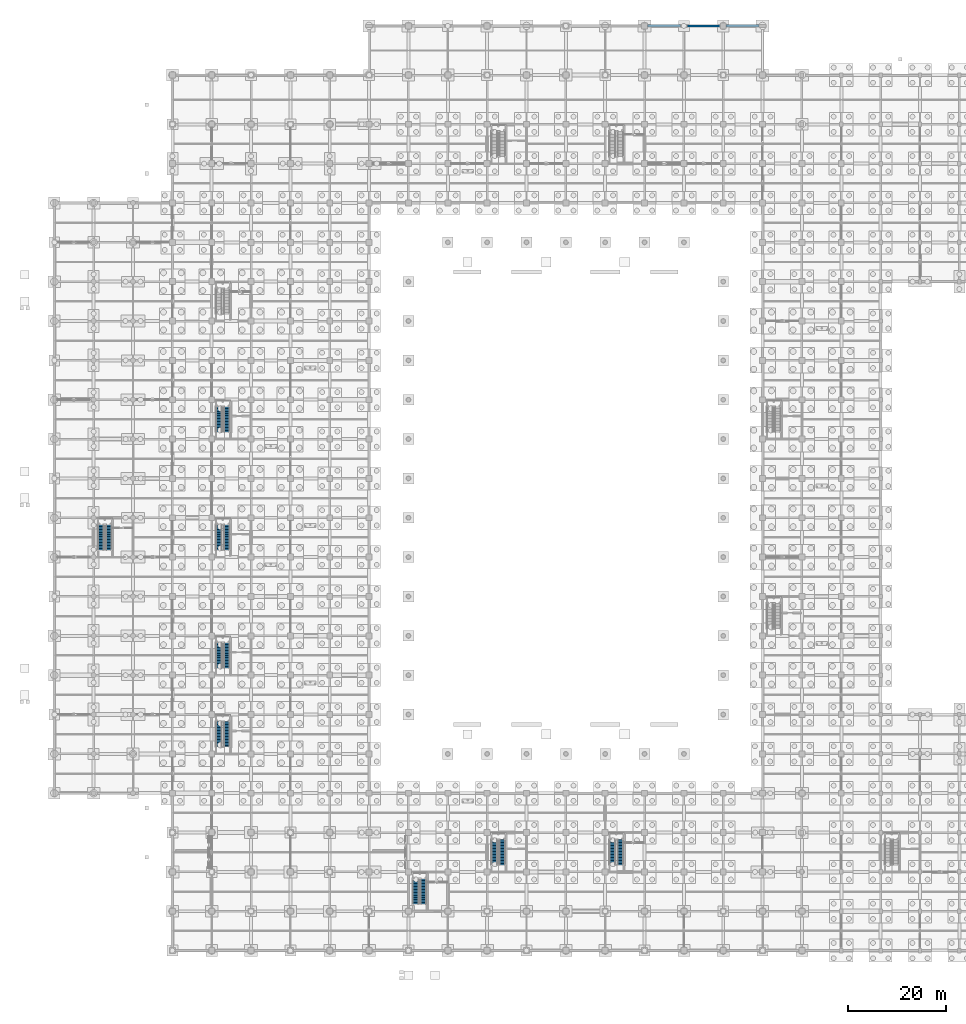
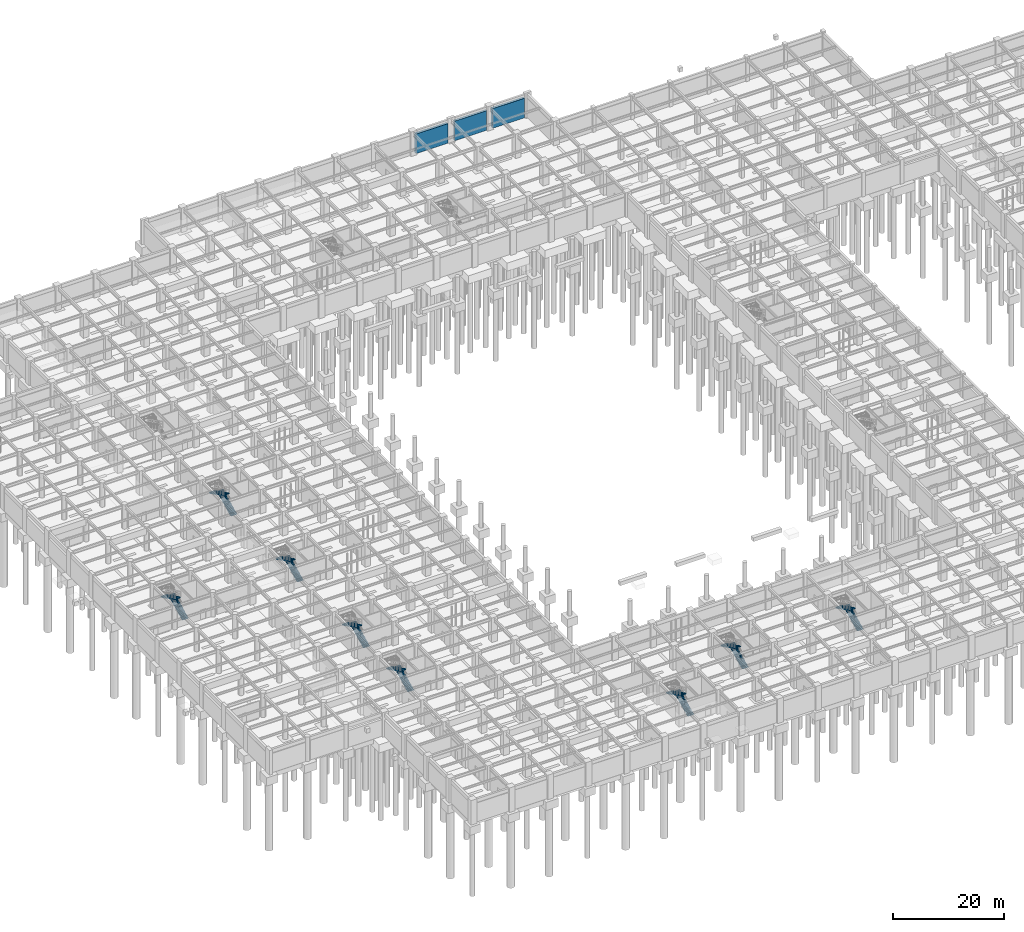
# One storey, part 85 of 97: 16 stair flights, 3 walls, 8 elements without a shape of their own.
"""IFC4 building model written with IfcOpenShell, lengths in metres."""

from ifc_helpers import new_model, si_unit, direction, frame, frame_2d, origin, place, context, subcontext, project, spatial, polyline, rectangle, outline, extrude, material, layer, layer_set, type_object, element, aggregate, save


model = new_model("IFC4")

# Units and contexts
model_context = context("Model", 3, precision=1e-05, world=origin(), true_north=direction((0.0, 1.0)))
body_context = subcontext(model_context, "Body", "Model", "MODEL_VIEW")
ifc_project = project(units=[si_unit("LENGTHUNIT", "METRE"), si_unit("AREAUNIT", "SQUARE_METRE"), si_unit("VOLUMEUNIT", "CUBIC_METRE"), si_unit("PLANEANGLEUNIT", "RADIAN"), si_unit("MASSUNIT", "GRAM", prefix="KILO")], contexts=[model_context])

# Site, building, storey
site_placement = place(None, origin())
site = spatial("IfcSite", under=ifc_project, at=site_placement, CompositionType="ELEMENT")
building_placement = place(site_placement, origin())
building = spatial("IfcBuilding", under=site, at=building_placement, Name="Haebicheon Civic Stadium", CompositionType="ELEMENT")
storey_placement = place(building_placement, frame((0.0, 0.0, -5.39990234375)))
storey = spatial("IfcBuildingStorey", under=building, at=storey_placement, Name="B1", CompositionType="ELEMENT", Elevation=-5.39990234375)

# Walls
ifc_material_1 = material(Name="Concrete C40/50", Category="concrete")
ifc_layer_1 = layer(ifc_material_1, 0.4599609375, Name="Concrete C40/50")
ifc_layer_set_1 = layer_set([ifc_layer_1], Name="Concrete C40/50")
wall_type_1 = type_object("IfcWallType", Name="EW-RET-460", PredefinedType="STANDARD", material=ifc_layer_set_1)
wall_placement = place(storey_placement, frame((128.699951171875, 188.0, 0.0), z_axis=(0.0, 0.0, 1.0), x_axis=(1.0, 0.0, 0.0)))
element("IfcWall", 1, at=wall_placement, inside=storey, type_object=wall_type_1, material=ifc_layer_set_1, Name="B1 retaining wall 16-23-N", PredefinedType="STANDARD", context=body_context, shape_type="SweptSolid", body=[
    extrude(rectangle(XDim=6.699951171875, YDim=0.4599609375, at=frame_2d((3.35009765625, 0.0))), origin(), (0.0, 0.0, 1.0), 4.33984375),
])
ifc_material_2 = material(Name="Concrete C40/50", Category="concrete")
ifc_layer_2 = layer(ifc_material_2, 0.5, Name="Concrete C40/50")
ifc_layer_set_2 = layer_set([ifc_layer_2], Name="Concrete C40/50")
wall_type_2 = type_object("IfcWallType", Name="EW-RET-500", PredefinedType="STANDARD", material=ifc_layer_set_2)
for number, where, z_axis, x_axis, name in (
    (2, (120.60009765625, 188.0, 0.0), (0.0, 0.0, 1.0), (1.0, 0.0, 0.0), "B1 retaining wall 15-23-N"),
    (3, (136.60009765625, 188.0, 0.0), (0.0, 0.0, 1.0), (1.0, 0.0, 0.0), "B1 retaining wall 17-23-N"),
):
    element("IfcWall", number, at=place(storey_placement, frame(where, z_axis=z_axis, x_axis=x_axis)), inside=storey, type_object=wall_type_2, material=ifc_layer_set_2, Name=name, PredefinedType="STANDARD", context=body_context, shape_type="SweptSolid", body=[
        extrude(rectangle(XDim=6.699951171875, YDim=0.5, at=frame_2d((3.35009765625, 0.0))), origin(), (0.0, 0.0, 1.0), 4.33984375),
    ])

# Stair, stair flights
ifc_material_3 = material(Name="Concrete C40/50", Category="concrete")
stair_type_1 = type_object("IfcStairType", Name="STR-DL-W126-H54", PredefinedType="HALF_TURN_STAIR", material=ifc_material_3)
stair_1_placement = place(storey_placement, origin())
stair_1 = element("IfcStair", 4, at=stair_1_placement, inside=storey, type_object=stair_type_1, material=ifc_material_3, Name="B1 Escape stair ST-01", PredefinedType="HALF_TURN_STAIR")
ifc_material_4 = material(Name="Concrete C40/50", Category="concrete")
stair_flight_type_1 = type_object("IfcStairFlightType", Name="STF-DL-W126-H54", PredefinedType="STRAIGHT", material=ifc_material_4)
stair_flight_1_placement = place(storey_placement, frame((35.110107421875, 41.449951171875, 0.0), z_axis=(0.0, 0.0, 1.0), x_axis=(0.0, 1.0, 0.0)))
stair_flight_1 = element("IfcStairFlight", 5, at=stair_flight_1_placement, type_object=stair_flight_type_1, material=ifc_material_4, Name="ST-01 flight 1", NumberOfRisers=18, NumberOfTreads=17, PredefinedType="STRAIGHT", RiserHeight=0.15, TreadLength=0.3, context=body_context, shape_type="SweptSolid", body=[
    extrude(outline(polyline([(0.0, 0.0), (0.0, 0.14990234375), (0.300048828125, 0.14990234375), (0.300048828125, 0.300048828125), (0.60009765625, 0.300048828125), (0.60009765625, 0.449951171875), (0.89990234375, 0.449951171875), (0.89990234375, 0.60009765625), (1.199951171875, 0.60009765625), (1.199951171875, 0.75), (1.5, 0.75), (1.5, 0.89990234375), (1.800048828125, 0.89990234375), (1.800048828125, 1.050048828125), (2.10009765625, 1.050048828125), (2.10009765625, 1.199951171875), (2.39990234375, 1.199951171875), (2.39990234375, 1.35009765625), (2.699951171875, 1.35009765625), (2.699951171875, 1.5), (3.0, 1.5), (3.0, 1.64990234375), (3.300048828125, 1.64990234375), (3.300048828125, 1.800048828125), (3.60009765625, 1.800048828125), (3.60009765625, 1.949951171875), (3.89990234375, 1.949951171875), (3.89990234375, 2.10009765625), (4.199951171875, 2.10009765625), (4.199951171875, 2.25), (4.5, 2.25), (4.5, 2.39990234375), (4.800048828125, 2.39990234375), (4.800048828125, 2.550048828125), (5.10009765625, 2.550048828125), (5.10009765625, 2.699951171875), (5.10009765625, 2.37109375), (0.357666015625, 0.0), (0.0, 0.0)])), frame((0.0, 0.6298828125, 0.0), z_axis=(0.0, -1.0, 0.0), x_axis=(1.0, 0.0, 0.0)), (0.0, 0.0, 1.0), 1.260009765625),
])
stair_flight_2_placement = place(storey_placement, frame((33.469970703125, 46.550048828125, 2.699951171875), z_axis=(0.0, 0.0, 1.0), x_axis=(0.0, -1.0, 0.0)))
stair_flight_2 = element("IfcStairFlight", 6, at=stair_flight_2_placement, type_object=stair_flight_type_1, material=ifc_material_4, Name="ST-01 flight 2", NumberOfRisers=18, NumberOfTreads=17, PredefinedType="STRAIGHT", RiserHeight=0.15, TreadLength=0.3, context=body_context, shape_type="SweptSolid", body=[
    extrude(outline(polyline([(0.0, 0.0), (0.0, 0.14990234375), (0.300048828125, 0.14990234375), (0.300048828125, 0.300048828125), (0.60009765625, 0.300048828125), (0.60009765625, 0.449951171875), (0.89990234375, 0.449951171875), (0.89990234375, 0.60009765625), (1.199951171875, 0.60009765625), (1.199951171875, 0.75), (1.5, 0.75), (1.5, 0.89990234375), (1.800048828125, 0.89990234375), (1.800048828125, 1.050048828125), (2.10009765625, 1.050048828125), (2.10009765625, 1.199951171875), (2.39990234375, 1.199951171875), (2.39990234375, 1.35009765625), (2.699951171875, 1.35009765625), (2.699951171875, 1.5), (3.0, 1.5), (3.0, 1.64990234375), (3.300048828125, 1.64990234375), (3.300048828125, 1.800048828125), (3.60009765625, 1.800048828125), (3.60009765625, 1.949951171875), (3.89990234375, 1.949951171875), (3.89990234375, 2.10009765625), (4.199951171875, 2.10009765625), (4.199951171875, 2.25), (4.5, 2.25), (4.5, 2.39990234375), (4.800048828125, 2.39990234375), (4.800048828125, 2.550048828125), (5.10009765625, 2.550048828125), (5.10009765625, 2.699951171875), (5.10009765625, 2.37109375), (0.357666015625, 0.0), (0.0, 0.0)])), frame((0.0, 0.6298828125, 0.0), z_axis=(0.0, -1.0, 0.0), x_axis=(1.0, 0.0, 0.0)), (0.0, 0.0, 1.0), 1.260009765625),
])
aggregate(stair_1, [stair_flight_1, stair_flight_2])

stair_2_placement = place(storey_placement, origin())
stair_2 = element("IfcStair", 7, at=stair_2_placement, inside=storey, type_object=stair_type_1, material=ifc_material_3, Name="B1 Escape stair ST-03", PredefinedType="HALF_TURN_STAIR")
stair_flight_3_placement = place(storey_placement, frame((35.110107421875, 81.449951171875, 0.0), z_axis=(0.0, 0.0, 1.0), x_axis=(0.0, 1.0, 0.0)))
stair_flight_3 = element("IfcStairFlight", 8, at=stair_flight_3_placement, type_object=stair_flight_type_1, material=ifc_material_4, Name="ST-03 flight 1", NumberOfRisers=18, NumberOfTreads=17, PredefinedType="STRAIGHT", RiserHeight=0.15, TreadLength=0.3, context=body_context, shape_type="SweptSolid", body=[
    extrude(outline(polyline([(0.0, 0.0), (0.0, 0.14990234375), (0.300048828125, 0.14990234375), (0.300048828125, 0.300048828125), (0.60009765625, 0.300048828125), (0.60009765625, 0.449951171875), (0.89990234375, 0.449951171875), (0.89990234375, 0.60009765625), (1.199951171875, 0.60009765625), (1.199951171875, 0.75), (1.5, 0.75), (1.5, 0.89990234375), (1.800048828125, 0.89990234375), (1.800048828125, 1.050048828125), (2.10009765625, 1.050048828125), (2.10009765625, 1.199951171875), (2.39990234375, 1.199951171875), (2.39990234375, 1.35009765625), (2.699951171875, 1.35009765625), (2.699951171875, 1.5), (3.0, 1.5), (3.0, 1.64990234375), (3.300048828125, 1.64990234375), (3.300048828125, 1.800048828125), (3.60009765625, 1.800048828125), (3.60009765625, 1.949951171875), (3.89990234375, 1.949951171875), (3.89990234375, 2.10009765625), (4.199951171875, 2.10009765625), (4.199951171875, 2.25), (4.5, 2.25), (4.5, 2.39990234375), (4.800048828125, 2.39990234375), (4.800048828125, 2.550048828125), (5.10009765625, 2.550048828125), (5.10009765625, 2.699951171875), (5.10009765625, 2.37109375), (0.357666015625, 0.0), (0.0, 0.0)])), frame((0.0, 0.6298828125, 0.0), z_axis=(0.0, -1.0, 0.0), x_axis=(1.0, 0.0, 0.0)), (0.0, 0.0, 1.0), 1.260009765625),
])
stair_flight_4_placement = place(storey_placement, frame((33.469970703125, 86.550048828125, 2.699951171875), z_axis=(0.0, 0.0, 1.0), x_axis=(0.0, -1.0, 0.0)))
stair_flight_4 = element("IfcStairFlight", 9, at=stair_flight_4_placement, type_object=stair_flight_type_1, material=ifc_material_4, Name="ST-03 flight 2", NumberOfRisers=18, NumberOfTreads=17, PredefinedType="STRAIGHT", RiserHeight=0.15, TreadLength=0.3, context=body_context, shape_type="SweptSolid", body=[
    extrude(outline(polyline([(0.0, 0.0), (0.0, 0.14990234375), (0.300048828125, 0.14990234375), (0.300048828125, 0.300048828125), (0.60009765625, 0.300048828125), (0.60009765625, 0.449951171875), (0.89990234375, 0.449951171875), (0.89990234375, 0.60009765625), (1.199951171875, 0.60009765625), (1.199951171875, 0.75), (1.5, 0.75), (1.5, 0.89990234375), (1.800048828125, 0.89990234375), (1.800048828125, 1.050048828125), (2.10009765625, 1.050048828125), (2.10009765625, 1.199951171875), (2.39990234375, 1.199951171875), (2.39990234375, 1.35009765625), (2.699951171875, 1.35009765625), (2.699951171875, 1.5), (3.0, 1.5), (3.0, 1.64990234375), (3.300048828125, 1.64990234375), (3.300048828125, 1.800048828125), (3.60009765625, 1.800048828125), (3.60009765625, 1.949951171875), (3.89990234375, 1.949951171875), (3.89990234375, 2.10009765625), (4.199951171875, 2.10009765625), (4.199951171875, 2.25), (4.5, 2.25), (4.5, 2.39990234375), (4.800048828125, 2.39990234375), (4.800048828125, 2.550048828125), (5.10009765625, 2.550048828125), (5.10009765625, 2.699951171875), (5.10009765625, 2.37109375), (0.357666015625, 0.0), (0.0, 0.0)])), frame((0.0, 0.6298828125, 0.0), z_axis=(0.0, -1.0, 0.0), x_axis=(1.0, 0.0, 0.0)), (0.0, 0.0, 1.0), 1.260009765625),
])
aggregate(stair_2, [stair_flight_3, stair_flight_4])

stair_3_placement = place(storey_placement, origin())
stair_3 = element("IfcStair", 10, at=stair_3_placement, inside=storey, type_object=stair_type_1, material=ifc_material_3, Name="B1 Escape stair ST-07", PredefinedType="HALF_TURN_STAIR")
stair_flight_5_placement = place(storey_placement, frame((115.110107421875, 17.449951171875, 0.0), z_axis=(0.0, 0.0, 1.0), x_axis=(0.0, 1.0, 0.0)))
stair_flight_5 = element("IfcStairFlight", 11, at=stair_flight_5_placement, type_object=stair_flight_type_1, material=ifc_material_4, Name="ST-07 flight 1", NumberOfRisers=18, NumberOfTreads=17, PredefinedType="STRAIGHT", RiserHeight=0.15, TreadLength=0.3, context=body_context, shape_type="SweptSolid", body=[
    extrude(outline(polyline([(0.0, 0.0), (0.0, 0.14990234375), (0.300048828125, 0.14990234375), (0.300048828125, 0.300048828125), (0.60009765625, 0.300048828125), (0.60009765625, 0.449951171875), (0.89990234375, 0.449951171875), (0.89990234375, 0.60009765625), (1.199951171875, 0.60009765625), (1.199951171875, 0.75), (1.5, 0.75), (1.5, 0.89990234375), (1.800048828125, 0.89990234375), (1.800048828125, 1.050048828125), (2.10009765625, 1.050048828125), (2.10009765625, 1.199951171875), (2.39990234375, 1.199951171875), (2.39990234375, 1.35009765625), (2.699951171875, 1.35009765625), (2.699951171875, 1.5), (3.0, 1.5), (3.0, 1.64990234375), (3.300048828125, 1.64990234375), (3.300048828125, 1.800048828125), (3.60009765625, 1.800048828125), (3.60009765625, 1.949951171875), (3.89990234375, 1.949951171875), (3.89990234375, 2.10009765625), (4.199951171875, 2.10009765625), (4.199951171875, 2.25), (4.5, 2.25), (4.5, 2.39990234375), (4.800048828125, 2.39990234375), (4.800048828125, 2.550048828125), (5.10009765625, 2.550048828125), (5.10009765625, 2.699951171875), (5.10009765625, 2.37109375), (0.357666015625, 0.0), (0.0, 0.0)])), frame((0.0, 0.6298828125, 0.0), z_axis=(0.0, -1.0, 0.0), x_axis=(1.0, 0.0, 0.0)), (0.0, 0.0, 1.0), 1.260009765625),
])
stair_flight_6_placement = place(storey_placement, frame((113.469970703125, 22.550048828125, 2.699951171875), z_axis=(0.0, 0.0, 1.0), x_axis=(0.0, -1.0, 0.0)))
stair_flight_6 = element("IfcStairFlight", 12, at=stair_flight_6_placement, type_object=stair_flight_type_1, material=ifc_material_4, Name="ST-07 flight 2", NumberOfRisers=18, NumberOfTreads=17, PredefinedType="STRAIGHT", RiserHeight=0.15, TreadLength=0.3, context=body_context, shape_type="SweptSolid", body=[
    extrude(outline(polyline([(0.0, 0.0), (0.0, 0.14990234375), (0.300048828125, 0.14990234375), (0.300048828125, 0.300048828125), (0.60009765625, 0.300048828125), (0.60009765625, 0.449951171875), (0.89990234375, 0.449951171875), (0.89990234375, 0.60009765625), (1.199951171875, 0.60009765625), (1.199951171875, 0.75), (1.5, 0.75), (1.5, 0.89990234375), (1.800048828125, 0.89990234375), (1.800048828125, 1.050048828125), (2.10009765625, 1.050048828125), (2.10009765625, 1.199951171875), (2.39990234375, 1.199951171875), (2.39990234375, 1.35009765625), (2.699951171875, 1.35009765625), (2.699951171875, 1.5), (3.0, 1.5), (3.0, 1.64990234375), (3.300048828125, 1.64990234375), (3.300048828125, 1.800048828125), (3.60009765625, 1.800048828125), (3.60009765625, 1.949951171875), (3.89990234375, 1.949951171875), (3.89990234375, 2.10009765625), (4.199951171875, 2.10009765625), (4.199951171875, 2.25), (4.5, 2.25), (4.5, 2.39990234375), (4.800048828125, 2.39990234375), (4.800048828125, 2.550048828125), (5.10009765625, 2.550048828125), (5.10009765625, 2.699951171875), (5.10009765625, 2.37109375), (0.357666015625, 0.0), (0.0, 0.0)])), frame((0.0, 0.6298828125, 0.0), z_axis=(0.0, -1.0, 0.0), x_axis=(1.0, 0.0, 0.0)), (0.0, 0.0, 1.0), 1.260009765625),
])
aggregate(stair_3, [stair_flight_5, stair_flight_6])

stair_4_placement = place(storey_placement, origin())
stair_4 = element("IfcStair", 13, at=stair_4_placement, inside=storey, type_object=stair_type_1, material=ifc_material_3, Name="B1 Escape stair ST-15", PredefinedType="HALF_TURN_STAIR")
stair_flight_7_placement = place(storey_placement, frame((11.110107421875, 81.449951171875, 0.0), z_axis=(0.0, 0.0, 1.0), x_axis=(0.0, 1.0, 0.0)))
stair_flight_7 = element("IfcStairFlight", 14, at=stair_flight_7_placement, type_object=stair_flight_type_1, material=ifc_material_4, Name="ST-15 flight 1", NumberOfRisers=18, NumberOfTreads=17, PredefinedType="STRAIGHT", RiserHeight=0.15, TreadLength=0.3, context=body_context, shape_type="SweptSolid", body=[
    extrude(outline(polyline([(0.0, 0.0), (0.0, 0.14990234375), (0.300048828125, 0.14990234375), (0.300048828125, 0.300048828125), (0.60009765625, 0.300048828125), (0.60009765625, 0.449951171875), (0.89990234375, 0.449951171875), (0.89990234375, 0.60009765625), (1.199951171875, 0.60009765625), (1.199951171875, 0.75), (1.5, 0.75), (1.5, 0.89990234375), (1.800048828125, 0.89990234375), (1.800048828125, 1.050048828125), (2.10009765625, 1.050048828125), (2.10009765625, 1.199951171875), (2.39990234375, 1.199951171875), (2.39990234375, 1.35009765625), (2.699951171875, 1.35009765625), (2.699951171875, 1.5), (3.0, 1.5), (3.0, 1.64990234375), (3.300048828125, 1.64990234375), (3.300048828125, 1.800048828125), (3.60009765625, 1.800048828125), (3.60009765625, 1.949951171875), (3.89990234375, 1.949951171875), (3.89990234375, 2.10009765625), (4.199951171875, 2.10009765625), (4.199951171875, 2.25), (4.5, 2.25), (4.5, 2.39990234375), (4.800048828125, 2.39990234375), (4.800048828125, 2.550048828125), (5.10009765625, 2.550048828125), (5.10009765625, 2.699951171875), (5.10009765625, 2.37109375), (0.357666015625, 0.0), (0.0, 0.0)])), frame((0.0, 0.6298828125, 0.0), z_axis=(0.0, -1.0, 0.0), x_axis=(1.0, 0.0, 0.0)), (0.0, 0.0, 1.0), 1.260009765625),
])
stair_flight_8_placement = place(storey_placement, frame((9.469970703125, 86.550048828125, 2.699951171875), z_axis=(0.0, 0.0, 1.0), x_axis=(0.0, -1.0, 0.0)))
stair_flight_8 = element("IfcStairFlight", 15, at=stair_flight_8_placement, type_object=stair_flight_type_1, material=ifc_material_4, Name="ST-15 flight 2", NumberOfRisers=18, NumberOfTreads=17, PredefinedType="STRAIGHT", RiserHeight=0.15, TreadLength=0.3, context=body_context, shape_type="SweptSolid", body=[
    extrude(outline(polyline([(0.0, 0.0), (0.0, 0.14990234375), (0.300048828125, 0.14990234375), (0.300048828125, 0.300048828125), (0.60009765625, 0.300048828125), (0.60009765625, 0.449951171875), (0.89990234375, 0.449951171875), (0.89990234375, 0.60009765625), (1.199951171875, 0.60009765625), (1.199951171875, 0.75), (1.5, 0.75), (1.5, 0.89990234375), (1.800048828125, 0.89990234375), (1.800048828125, 1.050048828125), (2.10009765625, 1.050048828125), (2.10009765625, 1.199951171875), (2.39990234375, 1.199951171875), (2.39990234375, 1.35009765625), (2.699951171875, 1.35009765625), (2.699951171875, 1.5), (3.0, 1.5), (3.0, 1.64990234375), (3.300048828125, 1.64990234375), (3.300048828125, 1.800048828125), (3.60009765625, 1.800048828125), (3.60009765625, 1.949951171875), (3.89990234375, 1.949951171875), (3.89990234375, 2.10009765625), (4.199951171875, 2.10009765625), (4.199951171875, 2.25), (4.5, 2.25), (4.5, 2.39990234375), (4.800048828125, 2.39990234375), (4.800048828125, 2.550048828125), (5.10009765625, 2.550048828125), (5.10009765625, 2.699951171875), (5.10009765625, 2.37109375), (0.357666015625, 0.0), (0.0, 0.0)])), frame((0.0, 0.6298828125, 0.0), z_axis=(0.0, -1.0, 0.0), x_axis=(1.0, 0.0, 0.0)), (0.0, 0.0, 1.0), 1.260009765625),
])
aggregate(stair_4, [stair_flight_7, stair_flight_8])

ifc_material_5 = material(Name="Concrete C40/50", Category="concrete")
stair_type_2 = type_object("IfcStairType", Name="STR-DL-W128-H54", PredefinedType="HALF_TURN_STAIR", material=ifc_material_5)
stair_5_placement = place(storey_placement, origin())
stair_5 = element("IfcStair", 16, at=stair_5_placement, inside=storey, type_object=stair_type_2, material=ifc_material_5, Name="B1 Escape stair ST-02", PredefinedType="HALF_TURN_STAIR")
ifc_material_6 = material(Name="Concrete C40/50", Category="concrete")
stair_flight_type_2 = type_object("IfcStairFlightType", Name="STF-DL-W128-H54", PredefinedType="STRAIGHT", material=ifc_material_6)
stair_flight_9_placement = place(storey_placement, frame((35.10009765625, 57.449951171875, 0.0), z_axis=(0.0, 0.0, 1.0), x_axis=(0.0, 1.0, 0.0)))
stair_flight_9 = element("IfcStairFlight", 17, at=stair_flight_9_placement, type_object=stair_flight_type_2, material=ifc_material_6, Name="ST-02 flight 1", NumberOfRisers=18, NumberOfTreads=17, PredefinedType="STRAIGHT", RiserHeight=0.15, TreadLength=0.3, context=body_context, shape_type="SweptSolid", body=[
    extrude(outline(polyline([(0.0, 0.0), (0.0, 0.14990234375), (0.300048828125, 0.14990234375), (0.300048828125, 0.300048828125), (0.60009765625, 0.300048828125), (0.60009765625, 0.449951171875), (0.89990234375, 0.449951171875), (0.89990234375, 0.60009765625), (1.199951171875, 0.60009765625), (1.199951171875, 0.75), (1.5, 0.75), (1.5, 0.89990234375), (1.800048828125, 0.89990234375), (1.800048828125, 1.050048828125), (2.10009765625, 1.050048828125), (2.10009765625, 1.199951171875), (2.39990234375, 1.199951171875), (2.39990234375, 1.35009765625), (2.699951171875, 1.35009765625), (2.699951171875, 1.5), (3.0, 1.5), (3.0, 1.64990234375), (3.300048828125, 1.64990234375), (3.300048828125, 1.800048828125), (3.60009765625, 1.800048828125), (3.60009765625, 1.949951171875), (3.89990234375, 1.949951171875), (3.89990234375, 2.10009765625), (4.199951171875, 2.10009765625), (4.199951171875, 2.25), (4.5, 2.25), (4.5, 2.39990234375), (4.800048828125, 2.39990234375), (4.800048828125, 2.550048828125), (5.10009765625, 2.550048828125), (5.10009765625, 2.699951171875), (5.10009765625, 2.37109375), (0.357666015625, 0.0), (0.0, 0.0)])), frame((0.0, 0.64013671875, 0.0), z_axis=(0.0, -1.0, 0.0), x_axis=(1.0, 0.0, 0.0)), (0.0, 0.0, 1.0), 1.280029296875),
])
stair_flight_10_placement = place(storey_placement, frame((33.47998046875, 62.550048828125, 2.699951171875), z_axis=(0.0, 0.0, 1.0), x_axis=(0.0, -1.0, 0.0)))
stair_flight_10 = element("IfcStairFlight", 18, at=stair_flight_10_placement, type_object=stair_flight_type_2, material=ifc_material_6, Name="ST-02 flight 2", NumberOfRisers=18, NumberOfTreads=17, PredefinedType="STRAIGHT", RiserHeight=0.15, TreadLength=0.3, context=body_context, shape_type="SweptSolid", body=[
    extrude(outline(polyline([(0.0, 0.0), (0.0, 0.14990234375), (0.300048828125, 0.14990234375), (0.300048828125, 0.300048828125), (0.60009765625, 0.300048828125), (0.60009765625, 0.449951171875), (0.89990234375, 0.449951171875), (0.89990234375, 0.60009765625), (1.199951171875, 0.60009765625), (1.199951171875, 0.75), (1.5, 0.75), (1.5, 0.89990234375), (1.800048828125, 0.89990234375), (1.800048828125, 1.050048828125), (2.10009765625, 1.050048828125), (2.10009765625, 1.199951171875), (2.39990234375, 1.199951171875), (2.39990234375, 1.35009765625), (2.699951171875, 1.35009765625), (2.699951171875, 1.5), (3.0, 1.5), (3.0, 1.64990234375), (3.300048828125, 1.64990234375), (3.300048828125, 1.800048828125), (3.60009765625, 1.800048828125), (3.60009765625, 1.949951171875), (3.89990234375, 1.949951171875), (3.89990234375, 2.10009765625), (4.199951171875, 2.10009765625), (4.199951171875, 2.25), (4.5, 2.25), (4.5, 2.39990234375), (4.800048828125, 2.39990234375), (4.800048828125, 2.550048828125), (5.10009765625, 2.550048828125), (5.10009765625, 2.699951171875), (5.10009765625, 2.37109375), (0.357666015625, 0.0), (0.0, 0.0)])), frame((0.0, 0.64013671875, 0.0), z_axis=(0.0, -1.0, 0.0), x_axis=(1.0, 0.0, 0.0)), (0.0, 0.0, 1.0), 1.280029296875),
])
aggregate(stair_5, [stair_flight_9, stair_flight_10])

stair_6_placement = place(storey_placement, origin())
stair_6 = element("IfcStair", 19, at=stair_6_placement, inside=storey, type_object=stair_type_2, material=ifc_material_5, Name="B1 Escape stair ST-04", PredefinedType="HALF_TURN_STAIR")
stair_flight_11_placement = place(storey_placement, frame((35.10009765625, 105.449951171875, 0.0), z_axis=(0.0, 0.0, 1.0), x_axis=(0.0, 1.0, 0.0)))
stair_flight_11 = element("IfcStairFlight", 20, at=stair_flight_11_placement, type_object=stair_flight_type_2, material=ifc_material_6, Name="ST-04 flight 1", NumberOfRisers=18, NumberOfTreads=17, PredefinedType="STRAIGHT", RiserHeight=0.15, TreadLength=0.3, context=body_context, shape_type="SweptSolid", body=[
    extrude(outline(polyline([(0.0, 0.0), (0.0, 0.14990234375), (0.300048828125, 0.14990234375), (0.300048828125, 0.300048828125), (0.60009765625, 0.300048828125), (0.60009765625, 0.449951171875), (0.89990234375, 0.449951171875), (0.89990234375, 0.60009765625), (1.199951171875, 0.60009765625), (1.199951171875, 0.75), (1.5, 0.75), (1.5, 0.89990234375), (1.800048828125, 0.89990234375), (1.800048828125, 1.050048828125), (2.10009765625, 1.050048828125), (2.10009765625, 1.199951171875), (2.39990234375, 1.199951171875), (2.39990234375, 1.35009765625), (2.699951171875, 1.35009765625), (2.699951171875, 1.5), (3.0, 1.5), (3.0, 1.64990234375), (3.300048828125, 1.64990234375), (3.300048828125, 1.800048828125), (3.60009765625, 1.800048828125), (3.60009765625, 1.949951171875), (3.89990234375, 1.949951171875), (3.89990234375, 2.10009765625), (4.199951171875, 2.10009765625), (4.199951171875, 2.25), (4.5, 2.25), (4.5, 2.39990234375), (4.800048828125, 2.39990234375), (4.800048828125, 2.550048828125), (5.10009765625, 2.550048828125), (5.10009765625, 2.699951171875), (5.10009765625, 2.37109375), (0.357666015625, 0.0), (0.0, 0.0)])), frame((0.0, 0.64013671875, 0.0), z_axis=(0.0, -1.0, 0.0), x_axis=(1.0, 0.0, 0.0)), (0.0, 0.0, 1.0), 1.280029296875),
])
stair_flight_12_placement = place(storey_placement, frame((33.47998046875, 110.550048828125, 2.699951171875), z_axis=(0.0, 0.0, 1.0), x_axis=(0.0, -1.0, 0.0)))
stair_flight_12 = element("IfcStairFlight", 21, at=stair_flight_12_placement, type_object=stair_flight_type_2, material=ifc_material_6, Name="ST-04 flight 2", NumberOfRisers=18, NumberOfTreads=17, PredefinedType="STRAIGHT", RiserHeight=0.15, TreadLength=0.3, context=body_context, shape_type="SweptSolid", body=[
    extrude(outline(polyline([(0.0, 0.0), (0.0, 0.14990234375), (0.300048828125, 0.14990234375), (0.300048828125, 0.300048828125), (0.60009765625, 0.300048828125), (0.60009765625, 0.449951171875), (0.89990234375, 0.449951171875), (0.89990234375, 0.60009765625), (1.199951171875, 0.60009765625), (1.199951171875, 0.75), (1.5, 0.75), (1.5, 0.89990234375), (1.800048828125, 0.89990234375), (1.800048828125, 1.050048828125), (2.10009765625, 1.050048828125), (2.10009765625, 1.199951171875), (2.39990234375, 1.199951171875), (2.39990234375, 1.35009765625), (2.699951171875, 1.35009765625), (2.699951171875, 1.5), (3.0, 1.5), (3.0, 1.64990234375), (3.300048828125, 1.64990234375), (3.300048828125, 1.800048828125), (3.60009765625, 1.800048828125), (3.60009765625, 1.949951171875), (3.89990234375, 1.949951171875), (3.89990234375, 2.10009765625), (4.199951171875, 2.10009765625), (4.199951171875, 2.25), (4.5, 2.25), (4.5, 2.39990234375), (4.800048828125, 2.39990234375), (4.800048828125, 2.550048828125), (5.10009765625, 2.550048828125), (5.10009765625, 2.699951171875), (5.10009765625, 2.37109375), (0.357666015625, 0.0), (0.0, 0.0)])), frame((0.0, 0.64013671875, 0.0), z_axis=(0.0, -1.0, 0.0), x_axis=(1.0, 0.0, 0.0)), (0.0, 0.0, 1.0), 1.280029296875),
])
aggregate(stair_6, [stair_flight_11, stair_flight_12])

stair_7_placement = place(storey_placement, origin())
stair_7 = element("IfcStair", 22, at=stair_7_placement, inside=storey, type_object=stair_type_2, material=ifc_material_5, Name="B1 Escape stair ST-06", PredefinedType="HALF_TURN_STAIR")
stair_flight_13_placement = place(storey_placement, frame((91.10009765625, 17.449951171875, 0.0), z_axis=(0.0, 0.0, 1.0), x_axis=(0.0, 1.0, 0.0)))
stair_flight_13 = element("IfcStairFlight", 23, at=stair_flight_13_placement, type_object=stair_flight_type_2, material=ifc_material_6, Name="ST-06 flight 1", NumberOfRisers=18, NumberOfTreads=17, PredefinedType="STRAIGHT", RiserHeight=0.15, TreadLength=0.3, context=body_context, shape_type="SweptSolid", body=[
    extrude(outline(polyline([(0.0, 0.0), (0.0, 0.14990234375), (0.300048828125, 0.14990234375), (0.300048828125, 0.300048828125), (0.60009765625, 0.300048828125), (0.60009765625, 0.449951171875), (0.89990234375, 0.449951171875), (0.89990234375, 0.60009765625), (1.199951171875, 0.60009765625), (1.199951171875, 0.75), (1.5, 0.75), (1.5, 0.89990234375), (1.800048828125, 0.89990234375), (1.800048828125, 1.050048828125), (2.10009765625, 1.050048828125), (2.10009765625, 1.199951171875), (2.39990234375, 1.199951171875), (2.39990234375, 1.35009765625), (2.699951171875, 1.35009765625), (2.699951171875, 1.5), (3.0, 1.5), (3.0, 1.64990234375), (3.300048828125, 1.64990234375), (3.300048828125, 1.800048828125), (3.60009765625, 1.800048828125), (3.60009765625, 1.949951171875), (3.89990234375, 1.949951171875), (3.89990234375, 2.10009765625), (4.199951171875, 2.10009765625), (4.199951171875, 2.25), (4.5, 2.25), (4.5, 2.39990234375), (4.800048828125, 2.39990234375), (4.800048828125, 2.550048828125), (5.10009765625, 2.550048828125), (5.10009765625, 2.699951171875), (5.10009765625, 2.37109375), (0.357666015625, 0.0), (0.0, 0.0)])), frame((0.0, 0.64013671875, 0.0), z_axis=(0.0, -1.0, 0.0), x_axis=(1.0, 0.0, 0.0)), (0.0, 0.0, 1.0), 1.280029296875),
])
stair_flight_14_placement = place(storey_placement, frame((89.47998046875, 22.550048828125, 2.699951171875), z_axis=(0.0, 0.0, 1.0), x_axis=(0.0, -1.0, 0.0)))
stair_flight_14 = element("IfcStairFlight", 24, at=stair_flight_14_placement, type_object=stair_flight_type_2, material=ifc_material_6, Name="ST-06 flight 2", NumberOfRisers=18, NumberOfTreads=17, PredefinedType="STRAIGHT", RiserHeight=0.15, TreadLength=0.3, context=body_context, shape_type="SweptSolid", body=[
    extrude(outline(polyline([(0.0, 0.0), (0.0, 0.14990234375), (0.300048828125, 0.14990234375), (0.300048828125, 0.300048828125), (0.60009765625, 0.300048828125), (0.60009765625, 0.449951171875), (0.89990234375, 0.449951171875), (0.89990234375, 0.60009765625), (1.199951171875, 0.60009765625), (1.199951171875, 0.75), (1.5, 0.75), (1.5, 0.89990234375), (1.800048828125, 0.89990234375), (1.800048828125, 1.050048828125), (2.10009765625, 1.050048828125), (2.10009765625, 1.199951171875), (2.39990234375, 1.199951171875), (2.39990234375, 1.35009765625), (2.699951171875, 1.35009765625), (2.699951171875, 1.5), (3.0, 1.5), (3.0, 1.64990234375), (3.300048828125, 1.64990234375), (3.300048828125, 1.800048828125), (3.60009765625, 1.800048828125), (3.60009765625, 1.949951171875), (3.89990234375, 1.949951171875), (3.89990234375, 2.10009765625), (4.199951171875, 2.10009765625), (4.199951171875, 2.25), (4.5, 2.25), (4.5, 2.39990234375), (4.800048828125, 2.39990234375), (4.800048828125, 2.550048828125), (5.10009765625, 2.550048828125), (5.10009765625, 2.699951171875), (5.10009765625, 2.37109375), (0.357666015625, 0.0), (0.0, 0.0)])), frame((0.0, 0.64013671875, 0.0), z_axis=(0.0, -1.0, 0.0), x_axis=(1.0, 0.0, 0.0)), (0.0, 0.0, 1.0), 1.280029296875),
])
aggregate(stair_7, [stair_flight_13, stair_flight_14])

stair_8_placement = place(storey_placement, origin())
stair_8 = element("IfcStair", 25, at=stair_8_placement, inside=storey, type_object=stair_type_2, material=ifc_material_5, Name="B1 Escape stair ST-16", PredefinedType="HALF_TURN_STAIR")
stair_flight_15_placement = place(storey_placement, frame((75.10009765625, 9.449951171875, 0.0), z_axis=(0.0, 0.0, 1.0), x_axis=(0.0, 1.0, 0.0)))
stair_flight_15 = element("IfcStairFlight", 26, at=stair_flight_15_placement, type_object=stair_flight_type_2, material=ifc_material_6, Name="ST-16 flight 1", NumberOfRisers=18, NumberOfTreads=17, PredefinedType="STRAIGHT", RiserHeight=0.15, TreadLength=0.3, context=body_context, shape_type="SweptSolid", body=[
    extrude(outline(polyline([(0.0, 0.0), (0.0, 0.14990234375), (0.300048828125, 0.14990234375), (0.300048828125, 0.300048828125), (0.60009765625, 0.300048828125), (0.60009765625, 0.449951171875), (0.89990234375, 0.449951171875), (0.89990234375, 0.60009765625), (1.199951171875, 0.60009765625), (1.199951171875, 0.75), (1.5, 0.75), (1.5, 0.89990234375), (1.800048828125, 0.89990234375), (1.800048828125, 1.050048828125), (2.10009765625, 1.050048828125), (2.10009765625, 1.199951171875), (2.39990234375, 1.199951171875), (2.39990234375, 1.35009765625), (2.699951171875, 1.35009765625), (2.699951171875, 1.5), (3.0, 1.5), (3.0, 1.64990234375), (3.300048828125, 1.64990234375), (3.300048828125, 1.800048828125), (3.60009765625, 1.800048828125), (3.60009765625, 1.949951171875), (3.89990234375, 1.949951171875), (3.89990234375, 2.10009765625), (4.199951171875, 2.10009765625), (4.199951171875, 2.25), (4.5, 2.25), (4.5, 2.39990234375), (4.800048828125, 2.39990234375), (4.800048828125, 2.550048828125), (5.10009765625, 2.550048828125), (5.10009765625, 2.699951171875), (5.10009765625, 2.37109375), (0.357666015625, 0.0), (0.0, 0.0)])), frame((0.0, 0.64013671875, 0.0), z_axis=(0.0, -1.0, 0.0), x_axis=(1.0, 0.0, 0.0)), (0.0, 0.0, 1.0), 1.280029296875),
])
stair_flight_16_placement = place(storey_placement, frame((73.47998046875, 14.550048828125, 2.699951171875), z_axis=(0.0, 0.0, 1.0), x_axis=(0.0, -1.0, 0.0)))
stair_flight_16 = element("IfcStairFlight", 27, at=stair_flight_16_placement, type_object=stair_flight_type_2, material=ifc_material_6, Name="ST-16 flight 2", NumberOfRisers=18, NumberOfTreads=17, PredefinedType="STRAIGHT", RiserHeight=0.15, TreadLength=0.3, context=body_context, shape_type="SweptSolid", body=[
    extrude(outline(polyline([(0.0, 0.0), (0.0, 0.14990234375), (0.300048828125, 0.14990234375), (0.300048828125, 0.300048828125), (0.60009765625, 0.300048828125), (0.60009765625, 0.449951171875), (0.89990234375, 0.449951171875), (0.89990234375, 0.60009765625), (1.199951171875, 0.60009765625), (1.199951171875, 0.75), (1.5, 0.75), (1.5, 0.89990234375), (1.800048828125, 0.89990234375), (1.800048828125, 1.050048828125), (2.10009765625, 1.050048828125), (2.10009765625, 1.199951171875), (2.39990234375, 1.199951171875), (2.39990234375, 1.35009765625), (2.699951171875, 1.35009765625), (2.699951171875, 1.5), (3.0, 1.5), (3.0, 1.64990234375), (3.300048828125, 1.64990234375), (3.300048828125, 1.800048828125), (3.60009765625, 1.800048828125), (3.60009765625, 1.949951171875), (3.89990234375, 1.949951171875), (3.89990234375, 2.10009765625), (4.199951171875, 2.10009765625), (4.199951171875, 2.25), (4.5, 2.25), (4.5, 2.39990234375), (4.800048828125, 2.39990234375), (4.800048828125, 2.550048828125), (5.10009765625, 2.550048828125), (5.10009765625, 2.699951171875), (5.10009765625, 2.37109375), (0.357666015625, 0.0), (0.0, 0.0)])), frame((0.0, 0.64013671875, 0.0), z_axis=(0.0, -1.0, 0.0), x_axis=(1.0, 0.0, 0.0)), (0.0, 0.0, 1.0), 1.280029296875),
])
aggregate(stair_8, [stair_flight_15, stair_flight_16])

save(model, "model.ifc")
